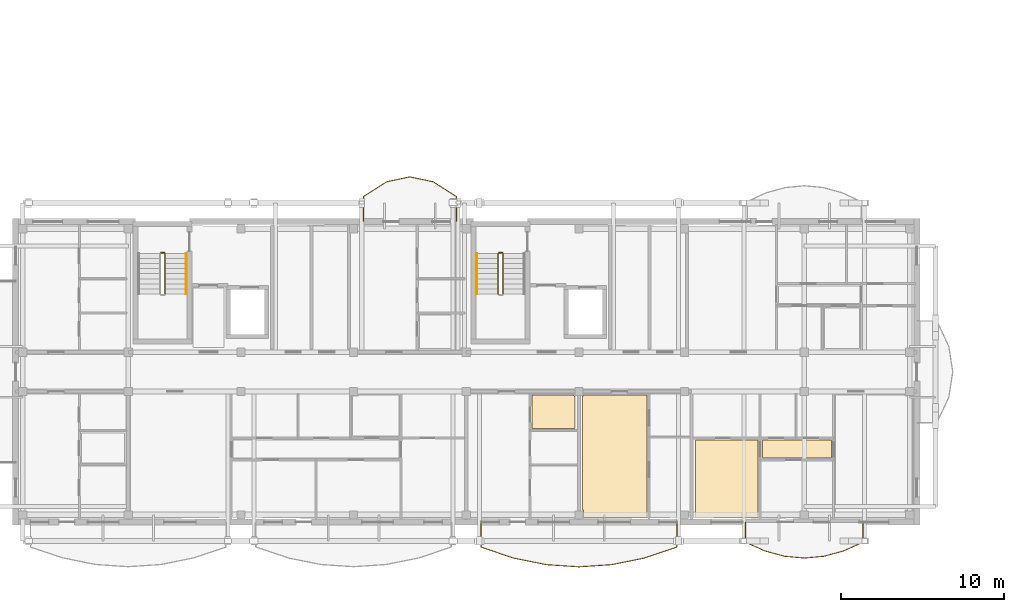
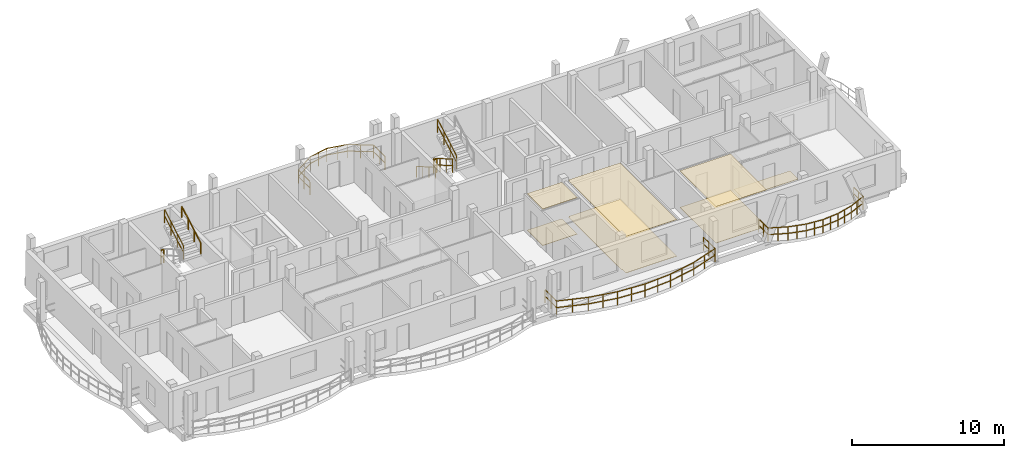
# One storey, part 34 of 42: 10 railings, 7 coverings.
"""IFC4 building model written with IfcOpenShell, lengths in metres."""

from ifc_helpers import new_model, si_unit, direction, frame, origin, origin_2d, place, context, subcontext, project, spatial, polyline, rectangle, outline, extrude, material, layer, layer_set, type_object, element, save


model = new_model("IFC4")

# Units and contexts
model_context = context("Model", 3, precision=1e-05, world=origin(), true_north=direction((0.0, 1.0)))
body_context = subcontext(model_context, "Body", "Model", "MODEL_VIEW")
ifc_project = project(units=[si_unit("LENGTHUNIT", "METRE"), si_unit("AREAUNIT", "SQUARE_METRE"), si_unit("VOLUMEUNIT", "CUBIC_METRE"), si_unit("PLANEANGLEUNIT", "RADIAN"), si_unit("MASSUNIT", "GRAM", prefix="KILO")], contexts=[model_context])

# Site, building, storey
site_placement = place(None, origin())
site = spatial("IfcSite", under=ifc_project, at=site_placement, CompositionType="ELEMENT")
building_placement = place(site_placement, origin())
building = spatial("IfcBuilding", under=site, at=building_placement, Name="Zavelmont Quarter", CompositionType="ELEMENT")
storey_placement = place(building_placement, frame((0.0, 0.0, 24.0)))
storey = spatial("IfcBuildingStorey", under=building, at=storey_placement, Name="L07", CompositionType="ELEMENT", Elevation=24.0)

# Coverings
ifc_material_1 = material(Name="Perforated acoustic gypsum board")
ifc_layer_1 = layer(ifc_material_1, 0.02490234375)
ifc_layer_set_1 = layer_set([ifc_layer_1], Name="Perforated acoustic gypsum board")
covering_type_1 = type_object("IfcCoveringType", Name="CV-CL01", PredefinedType="CEILING", material=ifc_layer_set_1)
covering_1_placement = place(storey_placement, frame((0.0, 0.0, 2.925048828125)))
element("IfcCovering", 1, at=covering_1_placement, inside=storey, type_object=covering_type_1, Name="L07 Kitchen acoustic ceiling", PredefinedType="CEILING", context=body_context, shape_type="SweptSolid", body=[
    extrude(outline(polyline([(31.6298828125, 7.77001953125), (34.2099609375, 7.77001953125), (34.2099609375, 7.7099609375), (34.27001953125, 7.7099609375), (34.27001953125, 5.72998046875), (31.6298828125, 5.72998046875), (31.6298828125, 7.77001953125)])), origin(), (0.0, 0.0, 1.0), 0.02490234375),
])
covering_2_placement = place(storey_placement, frame((0.0, 0.0, 2.925048828125)))
element("IfcCovering", 2, at=covering_2_placement, inside=storey, type_object=covering_type_1, Name="L07 Residents Study Lounge acoustic ceiling", PredefinedType="CEILING", context=body_context, shape_type="SweptSolid", body=[
    extrude(outline(polyline([(34.72998046875, 7.7099609375), (34.7900390625, 7.7099609375), (34.7900390625, 7.77001953125), (38.669921875, 7.77001953125), (38.669921875, 0.280029296875), (34.7900390625, 0.280029296875), (34.7900390625, 0.72998046875), (34.72998046875, 0.72998046875), (34.72998046875, 7.7099609375)])), origin(), (0.0, 0.0, 1.0), 0.02490234375),
])
covering_3_placement = place(storey_placement, frame((0.0, 0.0, 2.925048828125)))
element("IfcCovering", 3, at=covering_3_placement, inside=storey, type_object=covering_type_1, Name="L07 Double Bedroom acoustic ceiling", PredefinedType="CEILING", context=body_context, shape_type="SweptSolid", body=[
    extrude(outline(polyline([(41.6298828125, 5.02001953125), (45.469970703125, 5.02001953125), (45.469970703125, 0.280029296875), (41.6298828125, 0.280029296875), (41.6298828125, 5.02001953125)])), origin(), (0.0, 0.0, 1.0), 0.02490234375),
])
ifc_material_2 = material(Name="Engineered European oak parquet")
ifc_layer_2 = layer(ifc_material_2, 0.02197265625)
ifc_layer_set_2 = layer_set([ifc_layer_2], Name="Engineered European oak parquet")
covering_type_2 = type_object("IfcCoveringType", Name="CV-FL01", PredefinedType="FLOORING", material=ifc_layer_set_2)
covering_4_placement = place(storey_placement, origin())
element("IfcCovering", 4, at=covering_4_placement, inside=storey, type_object=covering_type_2, Name="L07 Kitchen floor finish", PredefinedType="FLOORING", context=body_context, shape_type="SweptSolid", body=[
    extrude(outline(polyline([(31.6298828125, 7.77001953125), (34.2099609375, 7.77001953125), (34.2099609375, 7.7099609375), (34.27001953125, 7.7099609375), (34.27001953125, 5.72998046875), (31.6298828125, 5.72998046875), (31.6298828125, 7.77001953125)])), origin(), (0.0, 0.0, 1.0), 0.02197265625),
])
covering_5_placement = place(storey_placement, origin())
element("IfcCovering", 5, at=covering_5_placement, inside=storey, type_object=covering_type_2, Name="L07 Residents Study Lounge floor finish", PredefinedType="FLOORING", context=body_context, shape_type="SweptSolid", body=[
    extrude(outline(polyline([(34.72998046875, 7.7099609375), (34.7900390625, 7.7099609375), (34.7900390625, 7.77001953125), (38.669921875, 7.77001953125), (38.669921875, 0.280029296875), (34.7900390625, 0.280029296875), (34.7900390625, 0.72998046875), (34.72998046875, 0.72998046875), (34.72998046875, 7.7099609375)])), origin(), (0.0, 0.0, 1.0), 0.02197265625),
])
covering_6_placement = place(storey_placement, origin())
element("IfcCovering", 6, at=covering_6_placement, inside=storey, type_object=covering_type_2, Name="L07 Double Bedroom floor finish", PredefinedType="FLOORING", context=body_context, shape_type="SweptSolid", body=[
    extrude(outline(polyline([(41.6298828125, 5.02001953125), (45.469970703125, 5.02001953125), (45.469970703125, 0.280029296875), (41.6298828125, 0.280029296875), (41.6298828125, 5.02001953125)])), origin(), (0.0, 0.0, 1.0), 0.02197265625),
])
ifc_material_3 = material(Name="Honed Belgian bluestone tile", Category="masonry")
ifc_layer_3 = layer(ifc_material_3, 0.030029296875)
ifc_layer_set_3 = layer_set([ifc_layer_3], Name="Honed Belgian bluestone tile")
covering_type_3 = type_object("IfcCoveringType", Name="CV-FL02", PredefinedType="FLOORING", material=ifc_layer_set_3)
covering_7_placement = place(storey_placement, origin())
element("IfcCovering", 7, at=covering_7_placement, inside=storey, type_object=covering_type_3, Name="L07 Apartment Hall floor finish", PredefinedType="FLOORING", context=body_context, shape_type="SweptSolid", body=[
    extrude(outline(polyline([(45.72998046875, 5.02001953125), (49.969970703125, 5.02001953125), (49.969970703125, 3.929931640625), (45.72998046875, 3.929931640625), (45.72998046875, 5.02001953125)])), origin(), (0.0, 0.0, 1.0), 0.030029296875),
])

# Railings
ifc_material_4 = material(Name="Powder-coated steel and tempered double safety glass", Category="steel")
railing_type_1 = type_object("IfcRailingType", Name="RL-BAL1", PredefinedType="BALUSTRADE", material=ifc_material_4)
railing_1_placement = place(storey_placement, frame((28.5, -0.02001953125, 0.0)))
element("IfcRailing", 8, at=railing_1_placement, inside=storey, type_object=railing_type_1, Name="L07 Block A curved balcony guard RL-BAL1", PredefinedType="BALUSTRADE", context=body_context, shape_type="SweptSolid", body=[
    extrude(rectangle(XDim=0.048095703125, YDim=0.048095703125, at=origin_2d()), frame((0.0, 0.0, 1.076171875), z_axis=(0.0, -1.0, 0.0), x_axis=(1.0, 0.0, 0.0)), (0.0, 0.0, 1.0), 1.518798828125),
    extrude(rectangle(XDim=0.048095703125, YDim=0.048095703125, at=origin_2d()), frame((0.0, 0.0, 0.550048828125), z_axis=(0.0, -1.0, 0.0), x_axis=(1.0, 0.0, 0.0)), (0.0, 0.0, 1.0), 1.518798828125),
    extrude(rectangle(XDim=0.048095703125, YDim=0.048095703125, at=origin_2d()), frame((0.0, -1.518798828125, 1.076171875), z_axis=(0.947940118274, -0.318448633483, 0.0), x_axis=(0.318448633483, 0.947940118274, 0.0)), (0.0, 0.0, 1.0), 2.10986328125),
    extrude(rectangle(XDim=0.048095703125, YDim=0.048095703125, at=origin_2d()), frame((0.0, -1.518798828125, 0.550048828125), z_axis=(0.947940118274, -0.318448633483, 0.0), x_axis=(0.318448633483, 0.947940118274, 0.0)), (0.0, 0.0, 1.0), 2.10986328125),
    extrude(rectangle(XDim=0.048095703125, YDim=0.048095703125, at=origin_2d()), frame((2.0, -2.190673828125, 1.076171875), z_axis=(0.980289648233, -0.197565699369, 0.0), x_axis=(0.197565699369, 0.980289648233, 0.0)), (0.0, 0.0, 1.0), 2.040283203125),
    extrude(rectangle(XDim=0.048095703125, YDim=0.048095703125, at=origin_2d()), frame((2.0, -2.190673828125, 0.550048828125), z_axis=(0.980289648233, -0.197565699369, 0.0), x_axis=(0.197565699369, 0.980289648233, 0.0)), (0.0, 0.0, 1.0), 2.040283203125),
    extrude(rectangle(XDim=0.048095703125, YDim=0.048095703125, at=origin_2d()), frame((4.0, -2.59375, 1.076171875), z_axis=(0.997753790287, -0.066987864338, 0.0), x_axis=(0.066987864338, 0.997753790287, 0.0)), (0.0, 0.0, 1.0), 2.00439453125),
    extrude(rectangle(XDim=0.048095703125, YDim=0.048095703125, at=origin_2d()), frame((4.0, -2.59375, 0.550048828125), z_axis=(0.997753790287, -0.066987864338, 0.0), x_axis=(0.066987864338, 0.997753790287, 0.0)), (0.0, 0.0, 1.0), 2.00439453125),
    extrude(rectangle(XDim=0.048095703125, YDim=0.048095703125, at=origin_2d()), frame((6.0, -2.72802734375, 1.076171875), z_axis=(0.997753790287, 0.066987864338, 0.0), x_axis=(-0.066987864338, 0.997753790287, 0.0)), (0.0, 0.0, 1.0), 2.00439453125),
    extrude(rectangle(XDim=0.048095703125, YDim=0.048095703125, at=origin_2d()), frame((6.0, -2.72802734375, 0.550048828125), z_axis=(0.997753790287, 0.066987864338, 0.0), x_axis=(-0.066987864338, 0.997753790287, 0.0)), (0.0, 0.0, 1.0), 2.00439453125),
    extrude(rectangle(XDim=0.048095703125, YDim=0.048095703125, at=origin_2d()), frame((8.0, -2.59375, 1.076171875), z_axis=(0.980289648233, 0.197565699369, 0.0), x_axis=(-0.197565699369, 0.980289648233, 0.0)), (0.0, 0.0, 1.0), 2.040283203125),
    extrude(rectangle(XDim=0.048095703125, YDim=0.048095703125, at=origin_2d()), frame((8.0, -2.59375, 0.550048828125), z_axis=(0.980289648233, 0.197565699369, 0.0), x_axis=(-0.197565699369, 0.980289648233, 0.0)), (0.0, 0.0, 1.0), 2.040283203125),
    extrude(rectangle(XDim=0.048095703125, YDim=0.048095703125, at=origin_2d()), frame((10.0, -2.190673828125, 1.076171875), z_axis=(0.947940118274, 0.318448633483, 0.0), x_axis=(-0.318448633483, 0.947940118274, 0.0)), (0.0, 0.0, 1.0), 2.10986328125),
    extrude(rectangle(XDim=0.048095703125, YDim=0.048095703125, at=origin_2d()), frame((10.0, -2.190673828125, 0.550048828125), z_axis=(0.947940118274, 0.318448633483, 0.0), x_axis=(-0.318448633483, 0.947940118274, 0.0)), (0.0, 0.0, 1.0), 2.10986328125),
    extrude(rectangle(XDim=0.048095703125, YDim=0.048095703125, at=origin_2d()), frame((12.0, -1.518798828125, 1.076171875), z_axis=(0.0, 1.0, 0.0), x_axis=(-1.0, 0.0, 0.0)), (0.0, 0.0, 1.0), 1.518798828125),
    extrude(rectangle(XDim=0.048095703125, YDim=0.048095703125, at=origin_2d()), frame((12.0, -1.518798828125, 0.550048828125), z_axis=(0.0, 1.0, 0.0), x_axis=(-1.0, 0.0, 0.0)), (0.0, 0.0, 1.0), 1.518798828125),
    extrude(rectangle(XDim=0.0419921875, YDim=0.0419921875, at=origin_2d()), origin(), (0.0, 0.0, 1.0), 1.052001953125),
    extrude(rectangle(XDim=0.0419921875, YDim=0.0419921875, at=origin_2d()), frame((0.0, -0.75927734375, 0.0)), (0.0, 0.0, 1.0), 1.052001953125),
    extrude(rectangle(XDim=0.0419921875, YDim=0.0419921875, at=origin_2d()), frame((0.0, -1.518798828125, 0.0)), (0.0, 0.0, 1.0), 1.052001953125),
    extrude(rectangle(XDim=0.0419921875, YDim=0.0419921875, at=origin_2d()), frame((1.0, -1.854736328125, 0.0)), (0.0, 0.0, 1.0), 1.052001953125),
    extrude(rectangle(XDim=0.0419921875, YDim=0.0419921875, at=origin_2d()), frame((2.0, -2.190673828125, 0.0)), (0.0, 0.0, 1.0), 1.052001953125),
    extrude(rectangle(XDim=0.0419921875, YDim=0.0419921875, at=origin_2d()), frame((3.0, -2.39208984375, 0.0)), (0.0, 0.0, 1.0), 1.052001953125),
    extrude(rectangle(XDim=0.0419921875, YDim=0.0419921875, at=origin_2d()), frame((4.0, -2.59375, 0.0)), (0.0, 0.0, 1.0), 1.052001953125),
    extrude(rectangle(XDim=0.0419921875, YDim=0.0419921875, at=origin_2d()), frame((5.0, -2.660888671875, 0.0)), (0.0, 0.0, 1.0), 1.052001953125),
    extrude(rectangle(XDim=0.0419921875, YDim=0.0419921875, at=origin_2d()), frame((6.0, -2.72802734375, 0.0)), (0.0, 0.0, 1.0), 1.052001953125),
    extrude(rectangle(XDim=0.0419921875, YDim=0.0419921875, at=origin_2d()), frame((7.0, -2.660888671875, 0.0)), (0.0, 0.0, 1.0), 1.052001953125),
    extrude(rectangle(XDim=0.0419921875, YDim=0.0419921875, at=origin_2d()), frame((8.0, -2.59375, 0.0)), (0.0, 0.0, 1.0), 1.052001953125),
    extrude(rectangle(XDim=0.0419921875, YDim=0.0419921875, at=origin_2d()), frame((9.0, -2.39208984375, 0.0)), (0.0, 0.0, 1.0), 1.052001953125),
    extrude(rectangle(XDim=0.0419921875, YDim=0.0419921875, at=origin_2d()), frame((10.0, -2.190673828125, 0.0)), (0.0, 0.0, 1.0), 1.052001953125),
    extrude(rectangle(XDim=0.0419921875, YDim=0.0419921875, at=origin_2d()), frame((11.0, -1.854736328125, 0.0)), (0.0, 0.0, 1.0), 1.052001953125),
    extrude(rectangle(XDim=0.0419921875, YDim=0.0419921875, at=origin_2d()), frame((12.0, -1.518798828125, 0.0)), (0.0, 0.0, 1.0), 1.052001953125),
    extrude(rectangle(XDim=0.0419921875, YDim=0.0419921875, at=origin_2d()), frame((12.0, -0.75927734375, 0.0)), (0.0, 0.0, 1.0), 1.052001953125),
    extrude(rectangle(XDim=0.0419921875, YDim=0.0419921875, at=origin_2d()), frame((12.0, 0.0, 0.0)), (0.0, 0.0, 1.0), 1.052001953125),
])
railing_2_placement = place(storey_placement, frame((44.69873046875, -0.02001953125, 0.0)))
element("IfcRailing", 9, at=railing_2_placement, inside=storey, type_object=railing_type_1, Name="L07 Block A curved balcony guard RL-BAL1", PredefinedType="BALUSTRADE", context=body_context, shape_type="SweptSolid", body=[
    extrude(rectangle(XDim=0.048095703125, YDim=0.048095703125, at=origin_2d()), frame((0.0, 0.0, 1.076171875), z_axis=(0.0, -1.0, 0.0), x_axis=(1.0, 0.0, 0.0)), (0.0, 0.0, 1.0), 1.217529296875),
    extrude(rectangle(XDim=0.048095703125, YDim=0.048095703125, at=origin_2d()), frame((0.0, 0.0, 0.550048828125), z_axis=(0.0, -1.0, 0.0), x_axis=(1.0, 0.0, 0.0)), (0.0, 0.0, 1.0), 1.217529296875),
    extrude(rectangle(XDim=0.048095703125, YDim=0.048095703125, at=origin_2d()), frame((0.0, -1.217529296875, 1.076171875), z_axis=(0.911897212815, -0.410418656083, 0.0), x_axis=(0.410418656083, 0.911897212815, 0.0)), (0.0, 0.0, 1.0), 1.31640625),
    extrude(rectangle(XDim=0.048095703125, YDim=0.048095703125, at=origin_2d()), frame((0.0, -1.217529296875, 0.550048828125), z_axis=(0.911897212815, -0.410418656083, 0.0), x_axis=(0.410418656083, 0.911897212815, 0.0)), (0.0, 0.0, 1.0), 1.31640625),
    extrude(rectangle(XDim=0.048095703125, YDim=0.048095703125, at=origin_2d()), frame((1.200439453125, -1.7578125, 1.076171875), z_axis=(0.965408821509, -0.260740881628, 0.0), x_axis=(0.260740881628, 0.965408821509, 0.0)), (0.0, 0.0, 1.0), 1.243408203125),
    extrude(rectangle(XDim=0.048095703125, YDim=0.048095703125, at=origin_2d()), frame((1.200439453125, -1.7578125, 0.550048828125), z_axis=(0.965408821509, -0.260740881628, 0.0), x_axis=(0.260740881628, 0.965408821509, 0.0)), (0.0, 0.0, 1.0), 1.243408203125),
    extrude(rectangle(XDim=0.048095703125, YDim=0.048095703125, at=origin_2d()), frame((2.40087890625, -2.08203125, 1.076171875), z_axis=(0.995984017594, -0.089531205161, 0.0), x_axis=(0.089531205161, 0.995984017594, 0.0)), (0.0, 0.0, 1.0), 1.205322265625),
    extrude(rectangle(XDim=0.048095703125, YDim=0.048095703125, at=origin_2d()), frame((2.40087890625, -2.08203125, 0.550048828125), z_axis=(0.995984017594, -0.089531205161, 0.0), x_axis=(0.089531205161, 0.995984017594, 0.0)), (0.0, 0.0, 1.0), 1.205322265625),
    extrude(rectangle(XDim=0.048095703125, YDim=0.048095703125, at=origin_2d()), frame((3.601318359375, -2.18994140625, 1.076171875), z_axis=(0.995984017594, 0.089531205161, 0.0), x_axis=(-0.089531205161, 0.995984017594, 0.0)), (0.0, 0.0, 1.0), 1.205322265625),
    extrude(rectangle(XDim=0.048095703125, YDim=0.048095703125, at=origin_2d()), frame((3.601318359375, -2.18994140625, 0.550048828125), z_axis=(0.995984017594, 0.089531205161, 0.0), x_axis=(-0.089531205161, 0.995984017594, 0.0)), (0.0, 0.0, 1.0), 1.205322265625),
    extrude(rectangle(XDim=0.048095703125, YDim=0.048095703125, at=origin_2d()), frame((4.8017578125, -2.08203125, 1.076171875), z_axis=(0.965408821509, 0.260740881628, 0.0), x_axis=(-0.260740881628, 0.965408821509, 0.0)), (0.0, 0.0, 1.0), 1.243408203125),
    extrude(rectangle(XDim=0.048095703125, YDim=0.048095703125, at=origin_2d()), frame((4.8017578125, -2.08203125, 0.550048828125), z_axis=(0.965408821509, 0.260740881628, 0.0), x_axis=(-0.260740881628, 0.965408821509, 0.0)), (0.0, 0.0, 1.0), 1.243408203125),
    extrude(rectangle(XDim=0.048095703125, YDim=0.048095703125, at=origin_2d()), frame((6.002197265625, -1.7578125, 1.076171875), z_axis=(0.911897212815, 0.410418656083, 0.0), x_axis=(-0.410418656083, 0.911897212815, 0.0)), (0.0, 0.0, 1.0), 1.31640625),
    extrude(rectangle(XDim=0.048095703125, YDim=0.048095703125, at=origin_2d()), frame((6.002197265625, -1.7578125, 0.550048828125), z_axis=(0.911897212815, 0.410418656083, 0.0), x_axis=(-0.410418656083, 0.911897212815, 0.0)), (0.0, 0.0, 1.0), 1.31640625),
    extrude(rectangle(XDim=0.048095703125, YDim=0.048095703125, at=origin_2d()), frame((7.20263671875, -1.217529296875, 1.076171875), z_axis=(0.0, 1.0, 0.0), x_axis=(-1.0, 0.0, 0.0)), (0.0, 0.0, 1.0), 1.217529296875),
    extrude(rectangle(XDim=0.048095703125, YDim=0.048095703125, at=origin_2d()), frame((7.20263671875, -1.217529296875, 0.550048828125), z_axis=(0.0, 1.0, 0.0), x_axis=(-1.0, 0.0, 0.0)), (0.0, 0.0, 1.0), 1.217529296875),
    extrude(rectangle(XDim=0.0419921875, YDim=0.0419921875, at=origin_2d()), origin(), (0.0, 0.0, 1.0), 1.052001953125),
    extrude(rectangle(XDim=0.0419921875, YDim=0.0419921875, at=origin_2d()), frame((0.0, -0.60888671875, 0.0)), (0.0, 0.0, 1.0), 1.052001953125),
    extrude(rectangle(XDim=0.0419921875, YDim=0.0419921875, at=origin_2d()), frame((0.0, -1.217529296875, 0.0)), (0.0, 0.0, 1.0), 1.052001953125),
    extrude(rectangle(XDim=0.0419921875, YDim=0.0419921875, at=origin_2d()), frame((0.60009765625, -1.48779296875, 0.0)), (0.0, 0.0, 1.0), 1.052001953125),
    extrude(rectangle(XDim=0.0419921875, YDim=0.0419921875, at=origin_2d()), frame((1.200439453125, -1.7578125, 0.0)), (0.0, 0.0, 1.0), 1.052001953125),
    extrude(rectangle(XDim=0.0419921875, YDim=0.0419921875, at=origin_2d()), frame((1.80078125, -1.919921875, 0.0)), (0.0, 0.0, 1.0), 1.052001953125),
    extrude(rectangle(XDim=0.0419921875, YDim=0.0419921875, at=origin_2d()), frame((2.40087890625, -2.08203125, 0.0)), (0.0, 0.0, 1.0), 1.052001953125),
    extrude(rectangle(XDim=0.0419921875, YDim=0.0419921875, at=origin_2d()), frame((3.0009765625, -2.135986328125, 0.0)), (0.0, 0.0, 1.0), 1.052001953125),
    extrude(rectangle(XDim=0.0419921875, YDim=0.0419921875, at=origin_2d()), frame((3.601318359375, -2.18994140625, 0.0)), (0.0, 0.0, 1.0), 1.052001953125),
    extrude(rectangle(XDim=0.0419921875, YDim=0.0419921875, at=origin_2d()), frame((4.20166015625, -2.135986328125, 0.0)), (0.0, 0.0, 1.0), 1.052001953125),
    extrude(rectangle(XDim=0.0419921875, YDim=0.0419921875, at=origin_2d()), frame((4.8017578125, -2.08203125, 0.0)), (0.0, 0.0, 1.0), 1.052001953125),
    extrude(rectangle(XDim=0.0419921875, YDim=0.0419921875, at=origin_2d()), frame((5.40185546875, -1.919921875, 0.0)), (0.0, 0.0, 1.0), 1.052001953125),
    extrude(rectangle(XDim=0.0419921875, YDim=0.0419921875, at=origin_2d()), frame((6.002197265625, -1.7578125, 0.0)), (0.0, 0.0, 1.0), 1.052001953125),
    extrude(rectangle(XDim=0.0419921875, YDim=0.0419921875, at=origin_2d()), frame((6.6025390625, -1.48779296875, 0.0)), (0.0, 0.0, 1.0), 1.052001953125),
    extrude(rectangle(XDim=0.0419921875, YDim=0.0419921875, at=origin_2d()), frame((7.20263671875, -1.217529296875, 0.0)), (0.0, 0.0, 1.0), 1.052001953125),
    extrude(rectangle(XDim=0.0419921875, YDim=0.0419921875, at=origin_2d()), frame((7.20263671875, -0.60888671875, 0.0)), (0.0, 0.0, 1.0), 1.052001953125),
    extrude(rectangle(XDim=0.0419921875, YDim=0.0419921875, at=origin_2d()), frame((7.20263671875, 0.0, 0.0)), (0.0, 0.0, 1.0), 1.052001953125),
])
railing_3_placement = place(storey_placement, frame((27.0, 18.419921875, 0.0)))
element("IfcRailing", 10, at=railing_3_placement, inside=storey, type_object=railing_type_1, Name="L07 Block A curved balcony guard RL-BAL1", PredefinedType="BALUSTRADE", context=body_context, shape_type="SweptSolid", body=[
    extrude(rectangle(XDim=0.048095703125, YDim=0.048095703125, at=origin_2d()), frame((0.0, 0.0, 1.076171875), z_axis=(0.0, 1.0, 0.0), x_axis=(-1.0, 0.0, 0.0)), (0.0, 0.0, 1.0), 1.51904296875),
    extrude(rectangle(XDim=0.048095703125, YDim=0.048095703125, at=origin_2d()), frame((0.0, 0.0, 0.550048828125), z_axis=(0.0, 1.0, 0.0), x_axis=(-1.0, 0.0, 0.0)), (0.0, 0.0, 1.0), 1.51904296875),
    extrude(rectangle(XDim=0.048095703125, YDim=0.048095703125, at=origin_2d()), frame((0.0, 1.51904296875, 1.076171875), z_axis=(-0.843691245069, 0.536828727803, 0.0), x_axis=(-0.536828727803, -0.843691245069, 0.0)), (0.0, 0.0, 1.0), 1.68896484375),
    extrude(rectangle(XDim=0.048095703125, YDim=0.048095703125, at=origin_2d()), frame((0.0, 1.51904296875, 0.550048828125), z_axis=(-0.843691245069, 0.536828727803, 0.0), x_axis=(-0.536828727803, -0.843691245069, 0.0)), (0.0, 0.0, 1.0), 1.68896484375),
    extrude(rectangle(XDim=0.048095703125, YDim=0.048095703125, at=origin_2d()), frame((-1.425048828125, 2.42578125, 1.076171875), z_axis=(-0.978239279237, 0.207479908805, 0.0), x_axis=(-0.207479908805, -0.978239279237, 0.0)), (0.0, 0.0, 1.0), 1.456787109375),
    extrude(rectangle(XDim=0.048095703125, YDim=0.048095703125, at=origin_2d()), frame((-1.425048828125, 2.42578125, 0.550048828125), z_axis=(-0.978239279237, 0.207479908805, 0.0), x_axis=(-0.207479908805, -0.978239279237, 0.0)), (0.0, 0.0, 1.0), 1.456787109375),
    extrude(rectangle(XDim=0.048095703125, YDim=0.048095703125, at=origin_2d()), frame((-2.85009765625, 2.72802734375, 1.076171875), z_axis=(-0.978232062941, -0.207513929733, 0.0), x_axis=(0.207513929733, -0.978232062941, 0.0)), (0.0, 0.0, 1.0), 1.45654296875),
    extrude(rectangle(XDim=0.048095703125, YDim=0.048095703125, at=origin_2d()), frame((-2.85009765625, 2.72802734375, 0.550048828125), z_axis=(-0.978232062941, -0.207513929733, 0.0), x_axis=(0.207513929733, -0.978232062941, 0.0)), (0.0, 0.0, 1.0), 1.45654296875),
    extrude(rectangle(XDim=0.048095703125, YDim=0.048095703125, at=origin_2d()), frame((-4.27490234375, 2.42578125, 1.076171875), z_axis=(-0.843691245069, -0.536828727803, 0.0), x_axis=(0.536828727803, -0.843691245069, 0.0)), (0.0, 0.0, 1.0), 1.68896484375),
    extrude(rectangle(XDim=0.048095703125, YDim=0.048095703125, at=origin_2d()), frame((-4.27490234375, 2.42578125, 0.550048828125), z_axis=(-0.843691245069, -0.536828727803, 0.0), x_axis=(0.536828727803, -0.843691245069, 0.0)), (0.0, 0.0, 1.0), 1.68896484375),
    extrude(rectangle(XDim=0.048095703125, YDim=0.048095703125, at=origin_2d()), frame((-5.699951171875, 1.51904296875, 1.076171875), z_axis=(0.0, -1.0, 0.0), x_axis=(1.0, 0.0, 0.0)), (0.0, 0.0, 1.0), 1.51904296875),
    extrude(rectangle(XDim=0.048095703125, YDim=0.048095703125, at=origin_2d()), frame((-5.699951171875, 1.51904296875, 0.550048828125), z_axis=(0.0, -1.0, 0.0), x_axis=(1.0, 0.0, 0.0)), (0.0, 0.0, 1.0), 1.51904296875),
    extrude(rectangle(XDim=0.0419921875, YDim=0.0419921875, at=origin_2d()), origin(), (0.0, 0.0, 1.0), 1.052001953125),
    extrude(rectangle(XDim=0.0419921875, YDim=0.0419921875, at=origin_2d()), frame((0.0, 0.759521484375, 0.0)), (0.0, 0.0, 1.0), 1.052001953125),
    extrude(rectangle(XDim=0.0419921875, YDim=0.0419921875, at=origin_2d()), frame((0.0, 1.51904296875, 0.0)), (0.0, 0.0, 1.0), 1.052001953125),
    extrude(rectangle(XDim=0.0419921875, YDim=0.0419921875, at=origin_2d()), frame((-0.71240234375, 1.972412109375, 0.0)), (0.0, 0.0, 1.0), 1.052001953125),
    extrude(rectangle(XDim=0.0419921875, YDim=0.0419921875, at=origin_2d()), frame((-1.425048828125, 2.42578125, 0.0)), (0.0, 0.0, 1.0), 1.052001953125),
    extrude(rectangle(XDim=0.0419921875, YDim=0.0419921875, at=origin_2d()), frame((-2.1376953125, 2.576904296875, 0.0)), (0.0, 0.0, 1.0), 1.052001953125),
    extrude(rectangle(XDim=0.0419921875, YDim=0.0419921875, at=origin_2d()), frame((-2.85009765625, 2.72802734375, 0.0)), (0.0, 0.0, 1.0), 1.052001953125),
    extrude(rectangle(XDim=0.0419921875, YDim=0.0419921875, at=origin_2d()), frame((-3.5625, 2.576904296875, 0.0)), (0.0, 0.0, 1.0), 1.052001953125),
    extrude(rectangle(XDim=0.0419921875, YDim=0.0419921875, at=origin_2d()), frame((-4.27490234375, 2.42578125, 0.0)), (0.0, 0.0, 1.0), 1.052001953125),
    extrude(rectangle(XDim=0.0419921875, YDim=0.0419921875, at=origin_2d()), frame((-4.9873046875, 1.972412109375, 0.0)), (0.0, 0.0, 1.0), 1.052001953125),
    extrude(rectangle(XDim=0.0419921875, YDim=0.0419921875, at=origin_2d()), frame((-5.699951171875, 1.51904296875, 0.0)), (0.0, 0.0, 1.0), 1.052001953125),
    extrude(rectangle(XDim=0.0419921875, YDim=0.0419921875, at=origin_2d()), frame((-5.699951171875, 0.759521484375, 0.0)), (0.0, 0.0, 1.0), 1.052001953125),
    extrude(rectangle(XDim=0.0419921875, YDim=0.0419921875, at=origin_2d()), frame((-5.699951171875, 0.0, 0.0)), (0.0, 0.0, 1.0), 1.052001953125),
])
ifc_material_5 = material(Name="Powder-coated steel stair guardrail", Category="steel")
railing_type_2 = type_object("IfcRailingType", Name="RL-GRD1", PredefinedType="GUARDRAIL", material=ifc_material_5)
railing_4_placement = place(storey_placement, frame((9.14990234375, 13.969970703125, 1.77783203125)))
element("IfcRailing", 11, at=railing_4_placement, inside=storey, type_object=railing_type_2, Name="L07 ST01 stair guardrail 3", PredefinedType="GUARDRAIL", context=body_context, shape_type="SweptSolid", body=[
    extrude(rectangle(XDim=0.048095703125, YDim=0.048095703125, at=origin_2d()), frame((0.0, 0.0, 1.076171875), z_axis=(0.0, 0.867490628297, 0.497453525283), x_axis=(-1.0, 0.0, 0.0)), (0.0, 0.0, 1.0), 2.85888671875),
    extrude(rectangle(XDim=0.048095703125, YDim=0.048095703125, at=origin_2d()), frame((0.0, 0.0, 0.550048828125), z_axis=(0.0, 0.867490628297, 0.497453525283), x_axis=(-1.0, 0.0, 0.0)), (0.0, 0.0, 1.0), 2.85888671875),
    extrude(rectangle(XDim=0.0419921875, YDim=0.0419921875, at=origin_2d()), origin(), (0.0, 0.0, 1.0), 1.052001953125),
    extrude(rectangle(XDim=0.0419921875, YDim=0.0419921875, at=origin_2d()), frame((0.0, 0.82666015625, 0.47412109375)), (0.0, 0.0, 1.0), 1.052001953125),
    extrude(rectangle(XDim=0.0419921875, YDim=0.0419921875, at=origin_2d()), frame((0.0, 1.6533203125, 0.947998046875)), (0.0, 0.0, 1.0), 1.052001953125),
    extrude(rectangle(XDim=0.0419921875, YDim=0.0419921875, at=origin_2d()), frame((0.0, 2.47998046875, 1.422119140625)), (0.0, 0.0, 1.0), 1.052001953125),
])
railing_5_placement = place(storey_placement, frame((8.89990234375, 16.5, 0.0)))
element("IfcRailing", 12, at=railing_5_placement, inside=storey, type_object=railing_type_2, Name="L07 ST01 stair guardrail 4", PredefinedType="GUARDRAIL", context=body_context, shape_type="SweptSolid", body=[
    extrude(rectangle(XDim=0.048095703125, YDim=0.048095703125, at=origin_2d()), frame((0.0, 0.0, 1.076171875), z_axis=(1.0, 0.0, 0.0), x_axis=(0.0, 1.0, 0.0)), (0.0, 0.0, 1.0), 0.2001953125),
    extrude(rectangle(XDim=0.048095703125, YDim=0.048095703125, at=origin_2d()), frame((0.0, 0.0, 0.550048828125), z_axis=(1.0, 0.0, 0.0), x_axis=(0.0, 1.0, 0.0)), (0.0, 0.0, 1.0), 0.2001953125),
    extrude(rectangle(XDim=0.0419921875, YDim=0.0419921875, at=origin_2d()), origin(), (0.0, 0.0, 1.0), 1.052001953125),
    extrude(rectangle(XDim=0.0419921875, YDim=0.0419921875, at=origin_2d()), frame((0.2001953125, 0.0, 0.0)), (0.0, 0.0, 1.0), 1.052001953125),
])
railing_6_placement = place(storey_placement, frame((29.550048828125, 16.449951171875, 0.177734375)))
element("IfcRailing", 13, at=railing_6_placement, inside=storey, type_object=railing_type_2, Name="L07 ST02 stair guardrail 1", PredefinedType="GUARDRAIL", context=body_context, shape_type="SweptSolid", body=[
    extrude(rectangle(XDim=0.048095703125, YDim=0.048095703125, at=origin_2d()), frame((0.0, 0.0, 1.076171875), z_axis=(0.0, -0.867453774394, 0.497517787913), x_axis=(1.0, 0.0, 0.0)), (0.0, 0.0, 1.0), 2.85888671875),
    extrude(rectangle(XDim=0.048095703125, YDim=0.048095703125, at=origin_2d()), frame((0.0, 0.0, 0.550048828125), z_axis=(0.0, -0.867453774394, 0.497517787913), x_axis=(1.0, 0.0, 0.0)), (0.0, 0.0, 1.0), 2.85888671875),
    extrude(rectangle(XDim=0.0419921875, YDim=0.0419921875, at=origin_2d()), origin(), (0.0, 0.0, 1.0), 1.052001953125),
    extrude(rectangle(XDim=0.0419921875, YDim=0.0419921875, at=origin_2d()), frame((0.0, -0.82666015625, 0.47412109375)), (0.0, 0.0, 1.0), 1.052001953125),
    extrude(rectangle(XDim=0.0419921875, YDim=0.0419921875, at=origin_2d()), frame((0.0, -1.6533203125, 0.9482421875)), (0.0, 0.0, 1.0), 1.052001953125),
    extrude(rectangle(XDim=0.0419921875, YDim=0.0419921875, at=origin_2d()), frame((0.0, -2.47998046875, 1.42236328125)), (0.0, 0.0, 1.0), 1.052001953125),
])
railing_7_placement = place(storey_placement, frame((29.85009765625, 13.969970703125, 1.77783203125)))
element("IfcRailing", 14, at=railing_7_placement, inside=storey, type_object=railing_type_2, Name="L07 ST02 stair guardrail 3", PredefinedType="GUARDRAIL", context=body_context, shape_type="SweptSolid", body=[
    extrude(rectangle(XDim=0.048095703125, YDim=0.048095703125, at=origin_2d()), frame((0.0, 0.0, 1.076171875), z_axis=(0.0, 0.867490628297, 0.497453525283), x_axis=(-1.0, 0.0, 0.0)), (0.0, 0.0, 1.0), 2.85888671875),
    extrude(rectangle(XDim=0.048095703125, YDim=0.048095703125, at=origin_2d()), frame((0.0, 0.0, 0.550048828125), z_axis=(0.0, 0.867490628297, 0.497453525283), x_axis=(-1.0, 0.0, 0.0)), (0.0, 0.0, 1.0), 2.85888671875),
    extrude(rectangle(XDim=0.0419921875, YDim=0.0419921875, at=origin_2d()), origin(), (0.0, 0.0, 1.0), 1.052001953125),
    extrude(rectangle(XDim=0.0419921875, YDim=0.0419921875, at=origin_2d()), frame((0.0, 0.82666015625, 0.47412109375)), (0.0, 0.0, 1.0), 1.052001953125),
    extrude(rectangle(XDim=0.0419921875, YDim=0.0419921875, at=origin_2d()), frame((0.0, 1.6533203125, 0.947998046875)), (0.0, 0.0, 1.0), 1.052001953125),
    extrude(rectangle(XDim=0.0419921875, YDim=0.0419921875, at=origin_2d()), frame((0.0, 2.47998046875, 1.422119140625)), (0.0, 0.0, 1.0), 1.052001953125),
])
railing_8_placement = place(storey_placement, frame((29.60009765625, 16.5, 0.0)))
element("IfcRailing", 15, at=railing_8_placement, inside=storey, type_object=railing_type_2, Name="L07 ST02 stair guardrail 4", PredefinedType="GUARDRAIL", context=body_context, shape_type="SweptSolid", body=[
    extrude(rectangle(XDim=0.048095703125, YDim=0.048095703125, at=origin_2d()), frame((0.0, 0.0, 1.076171875), z_axis=(1.0, 0.0, 0.0), x_axis=(0.0, 1.0, 0.0)), (0.0, 0.0, 1.0), 0.199951171875),
    extrude(rectangle(XDim=0.048095703125, YDim=0.048095703125, at=origin_2d()), frame((0.0, 0.0, 0.550048828125), z_axis=(1.0, 0.0, 0.0), x_axis=(0.0, 1.0, 0.0)), (0.0, 0.0, 1.0), 0.199951171875),
    extrude(rectangle(XDim=0.0419921875, YDim=0.0419921875, at=origin_2d()), origin(), (0.0, 0.0, 1.0), 1.052001953125),
    extrude(rectangle(XDim=0.0419921875, YDim=0.0419921875, at=origin_2d()), frame((0.199951171875, 0.0, 0.0)), (0.0, 0.0, 1.0), 1.052001953125),
])
ifc_material_6 = material(Name="Brushed stainless-steel wall handrail", Category="steel")
railing_type_3 = type_object("IfcRailingType", Name="RL-HND1", PredefinedType="HANDRAIL", material=ifc_material_6)
railing_9_placement = place(storey_placement, frame((10.449951171875, 13.969970703125, 1.77783203125)))
element("IfcRailing", 16, at=railing_9_placement, inside=storey, type_object=railing_type_3, Name="L07 ST01 stair handrail 2", PredefinedType="HANDRAIL", context=body_context, shape_type="SweptSolid", body=[
    extrude(rectangle(XDim=0.048095703125, YDim=0.048095703125, at=origin_2d()), frame((0.0, 0.0, 0.8759765625), z_axis=(0.0, 0.867490628297, 0.497453525283), x_axis=(-1.0, 0.0, 0.0)), (0.0, 0.0, 1.0), 2.85888671875),
    extrude(rectangle(XDim=0.0419921875, YDim=0.0419921875, at=origin_2d()), origin(), (0.0, 0.0, 1.0), 0.851806640625),
    extrude(rectangle(XDim=0.0419921875, YDim=0.0419921875, at=origin_2d()), frame((0.0, 0.82666015625, 0.47412109375)), (0.0, 0.0, 1.0), 0.851806640625),
    extrude(rectangle(XDim=0.0419921875, YDim=0.0419921875, at=origin_2d()), frame((0.0, 1.6533203125, 0.947998046875)), (0.0, 0.0, 1.0), 0.851806640625),
    extrude(rectangle(XDim=0.0419921875, YDim=0.0419921875, at=origin_2d()), frame((0.0, 2.47998046875, 1.422119140625)), (0.0, 0.0, 1.0), 0.851806640625),
])
railing_10_placement = place(storey_placement, frame((28.25, 16.449951171875, 0.177734375)))
element("IfcRailing", 17, at=railing_10_placement, inside=storey, type_object=railing_type_3, Name="L07 ST02 stair handrail 1", PredefinedType="HANDRAIL", context=body_context, shape_type="SweptSolid", body=[
    extrude(rectangle(XDim=0.048095703125, YDim=0.048095703125, at=origin_2d()), frame((0.0, 0.0, 0.8759765625), z_axis=(0.0, -0.867453774394, 0.497517787913), x_axis=(1.0, 0.0, 0.0)), (0.0, 0.0, 1.0), 2.85888671875),
    extrude(rectangle(XDim=0.0419921875, YDim=0.0419921875, at=origin_2d()), origin(), (0.0, 0.0, 1.0), 0.851806640625),
    extrude(rectangle(XDim=0.0419921875, YDim=0.0419921875, at=origin_2d()), frame((0.0, -0.82666015625, 0.47412109375)), (0.0, 0.0, 1.0), 0.851806640625),
    extrude(rectangle(XDim=0.0419921875, YDim=0.0419921875, at=origin_2d()), frame((0.0, -1.6533203125, 0.9482421875)), (0.0, 0.0, 1.0), 0.851806640625),
    extrude(rectangle(XDim=0.0419921875, YDim=0.0419921875, at=origin_2d()), frame((0.0, -2.47998046875, 1.42236328125)), (0.0, 0.0, 1.0), 0.851806640625),
])

save(model, "model.ifc")
